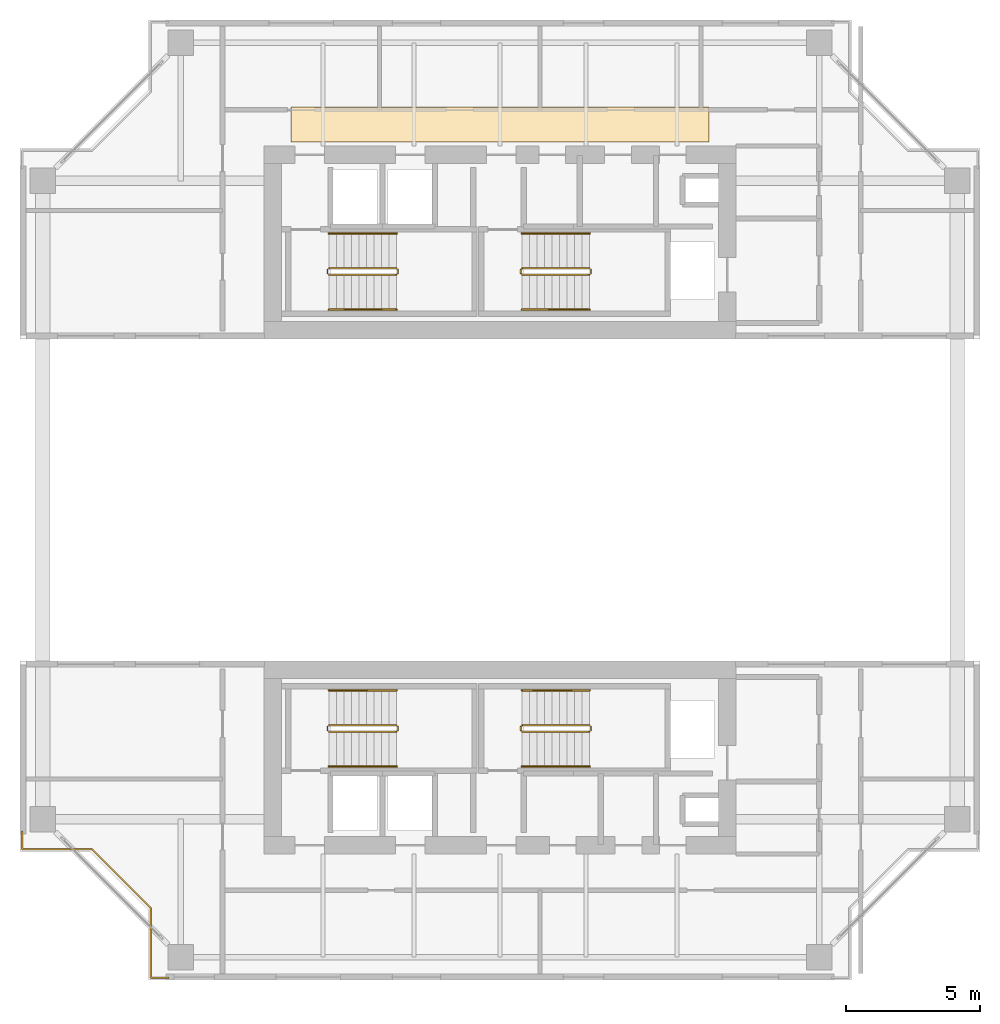
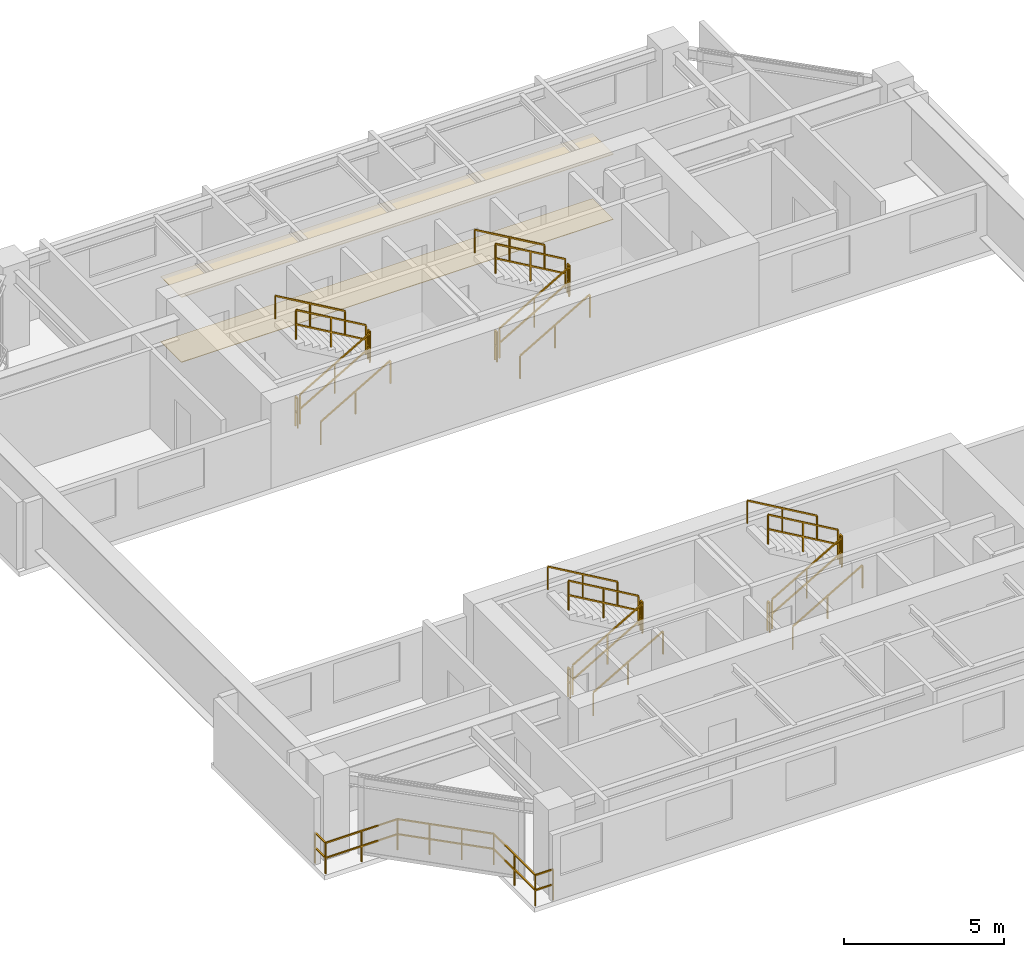
# One storey, part 11 of 12: 25 railings, 2 coverings.
"""IFC4 building model written with IfcOpenShell, lengths in metres."""

from ifc_helpers import new_model, si_unit, direction, frame, origin, origin_2d, place, context, subcontext, project, spatial, polyline, rectangle, outline, extrude, material, layer, layer_set, type_object, element, save


model = new_model("IFC4")

# Units and contexts
model_context = context("Model", 3, precision=1e-05, world=origin(), true_north=direction((0.0, 1.0)))
body_context = subcontext(model_context, "Body", "Model", "MODEL_VIEW")
ifc_project = project(units=[si_unit("LENGTHUNIT", "METRE"), si_unit("AREAUNIT", "SQUARE_METRE"), si_unit("VOLUMEUNIT", "CUBIC_METRE"), si_unit("PLANEANGLEUNIT", "RADIAN"), si_unit("MASSUNIT", "GRAM", prefix="KILO"), si_unit("THERMODYNAMICTEMPERATUREUNIT", "KELVIN"), si_unit("POWERUNIT", "WATT")], contexts=[model_context])

# Site, building, storey
site_placement = place(None, origin())
site = spatial("IfcSite", under=ifc_project, at=site_placement, CompositionType="ELEMENT")
building_placement = place(site_placement, origin())
building = spatial("IfcBuilding", under=site, at=building_placement, Name="Qiaomeng Ring Towers", CompositionType="ELEMENT")
storey_placement = place(building_placement, frame((0.0, 0.0, 169.75)))
storey = spatial("IfcBuildingStorey", under=building, at=storey_placement, Name="L49", CompositionType="ELEMENT", Elevation=169.75)

# Coverings
ifc_material_1 = material(Name="Moisture-resistant gypsum ceiling board", Category="gypsum")
ifc_layer_1 = layer(ifc_material_1, 0.030029296875, Name="Moisture-resistant gypsum ceiling board")
ifc_layer_set_1 = layer_set([ifc_layer_1], Name="Moisture-resistant gypsum ceiling board")
covering_type_1 = type_object("IfcCoveringType", Name="ARC-COV-CEIL2", PredefinedType="CEILING", material=ifc_layer_set_1)
covering_1_placement = place(storey_placement, frame((0.0, 0.0, 2.47998046875)))
element("IfcCovering", 1, at=covering_1_placement, inside=storey, type_object=covering_type_1, Name="L49 Corridor Acoustic Ceiling", PredefinedType="CEILING", context=body_context, shape_type="SweptSolid", body=[
    extrude(outline(polyline([(11.199951171875, 36.35009765625), (11.199951171875, 37.64990234375), (26.800048828125, 37.64990234375), (26.800048828125, 36.35009765625), (11.199951171875, 36.35009765625)])), origin(), (0.0, 0.0, 1.0), 0.02490234375),
])
ifc_material_2 = material(Name="Vitrified porcelain floor tile", Category="ceramic")
ifc_layer_2 = layer(ifc_material_2, 0.02001953125, Name="Vitrified porcelain floor tile")
ifc_layer_set_2 = layer_set([ifc_layer_2], Name="Vitrified porcelain floor tile")
covering_type_2 = type_object("IfcCoveringType", Name="ARC-COV-FLR1", PredefinedType="FLOORING", material=ifc_layer_set_2)
covering_2_placement = place(storey_placement, origin())
element("IfcCovering", 2, at=covering_2_placement, inside=storey, type_object=covering_type_2, Name="L49 Corridor Stone Flooring", PredefinedType="FLOORING", context=body_context, shape_type="SweptSolid", body=[
    extrude(outline(polyline([(11.199951171875, 36.35009765625), (11.199951171875, 37.64990234375), (26.800048828125, 37.64990234375), (26.800048828125, 36.35009765625), (11.199951171875, 36.35009765625)])), origin(), (0.0, 0.0, 1.0), 0.02001953125),
])

# Railings
ifc_material_3 = material(Name="Low-E pale-green laminated safety glass", Category="glass")
railing_type_1 = type_object("IfcRailingType", Name="ARC-RL-BAL1", PredefinedType="BALUSTRADE", material=ifc_material_3)
railing_1_placement = place(storey_placement, frame((1.179931640625, 10.6298828125, 0.0)))
element("IfcRailing", 3, at=railing_1_placement, inside=storey, type_object=railing_type_1, Name="L49 Balustrade ARC-BAL-NOTCH1-L49-SW", PredefinedType="BALUSTRADE", context=body_context, shape_type="SweptSolid", body=[
    extrude(rectangle(XDim=0.048095703125, YDim=0.048095703125, at=origin_2d()), frame((0.0, 0.0, 1.17578125), z_axis=(0.0, -1.0, 0.0), x_axis=(1.0, 0.0, 0.0)), (0.0, 0.0, 1.0), 0.64990234375),
    extrude(rectangle(XDim=0.048095703125, YDim=0.048095703125, at=origin_2d()), frame((0.0, 0.0, 0.60009765625), z_axis=(0.0, -1.0, 0.0), x_axis=(1.0, 0.0, 0.0)), (0.0, 0.0, 1.0), 0.64990234375),
    extrude(rectangle(XDim=0.048095703125, YDim=0.048095703125, at=origin_2d()), frame((0.0, -0.64990234375, 1.17578125), z_axis=(1.0, 0.0, 0.0), x_axis=(0.0, 1.0, 0.0)), (0.0, 0.0, 1.0), 2.60009765625),
    extrude(rectangle(XDim=0.048095703125, YDim=0.048095703125, at=origin_2d()), frame((0.0, -0.64990234375, 0.60009765625), z_axis=(1.0, 0.0, 0.0), x_axis=(0.0, 1.0, 0.0)), (0.0, 0.0, 1.0), 2.60009765625),
    extrude(rectangle(XDim=0.048095703125, YDim=0.048095703125, at=origin_2d()), frame((2.60009765625, -0.64990234375, 1.17578125), z_axis=(0.707106781187, -0.707106781187, 0.0), x_axis=(0.707106781187, 0.707106781187, 0.0)), (0.0, 0.0, 1.0), 3.111083984375),
    extrude(rectangle(XDim=0.048095703125, YDim=0.048095703125, at=origin_2d()), frame((2.60009765625, -0.64990234375, 0.60009765625), z_axis=(0.707106781187, -0.707106781187, 0.0), x_axis=(0.707106781187, 0.707106781187, 0.0)), (0.0, 0.0, 1.0), 3.111083984375),
    extrude(rectangle(XDim=0.048095703125, YDim=0.048095703125, at=origin_2d()), frame((4.800048828125, -2.849853515625, 1.17578125), z_axis=(0.0, -1.0, 0.0), x_axis=(1.0, 0.0, 0.0)), (0.0, 0.0, 1.0), 2.60009765625),
    extrude(rectangle(XDim=0.048095703125, YDim=0.048095703125, at=origin_2d()), frame((4.800048828125, -2.849853515625, 0.60009765625), z_axis=(0.0, -1.0, 0.0), x_axis=(1.0, 0.0, 0.0)), (0.0, 0.0, 1.0), 2.60009765625),
    extrude(rectangle(XDim=0.048095703125, YDim=0.048095703125, at=origin_2d()), frame((4.800048828125, -5.449951171875, 1.17578125), z_axis=(1.0, 0.0, 0.0), x_axis=(0.0, 1.0, 0.0)), (0.0, 0.0, 1.0), 0.64990234375),
    extrude(rectangle(XDim=0.048095703125, YDim=0.048095703125, at=origin_2d()), frame((4.800048828125, -5.449951171875, 0.60009765625), z_axis=(1.0, 0.0, 0.0), x_axis=(0.0, 1.0, 0.0)), (0.0, 0.0, 1.0), 0.64990234375),
    extrude(rectangle(XDim=0.0419921875, YDim=0.0419921875, at=origin_2d()), origin(), (0.0, 0.0, 1.0), 1.15185546875),
    extrude(rectangle(XDim=0.0419921875, YDim=0.0419921875, at=origin_2d()), frame((0.0, -0.64990234375, 0.0)), (0.0, 0.0, 1.0), 1.15185546875),
    extrude(rectangle(XDim=0.0419921875, YDim=0.0419921875, at=origin_2d()), frame((1.300048828125, -0.64990234375, 0.0)), (0.0, 0.0, 1.0), 1.15185546875),
    extrude(rectangle(XDim=0.0419921875, YDim=0.0419921875, at=origin_2d()), frame((2.60009765625, -0.64990234375, 0.0)), (0.0, 0.0, 1.0), 1.15185546875),
    extrude(rectangle(XDim=0.0419921875, YDim=0.0419921875, at=origin_2d()), frame((3.33349609375, -1.38330078125, 0.0)), (0.0, 0.0, 1.0), 1.15185546875),
    extrude(rectangle(XDim=0.0419921875, YDim=0.0419921875, at=origin_2d()), frame((4.066650390625, -2.116455078125, 0.0)), (0.0, 0.0, 1.0), 1.15185546875),
    extrude(rectangle(XDim=0.0419921875, YDim=0.0419921875, at=origin_2d()), frame((4.800048828125, -2.849853515625, 0.0)), (0.0, 0.0, 1.0), 1.15185546875),
    extrude(rectangle(XDim=0.0419921875, YDim=0.0419921875, at=origin_2d()), frame((4.800048828125, -4.14990234375, 0.0)), (0.0, 0.0, 1.0), 1.15185546875),
    extrude(rectangle(XDim=0.0419921875, YDim=0.0419921875, at=origin_2d()), frame((4.800048828125, -5.449951171875, 0.0)), (0.0, 0.0, 1.0), 1.15185546875),
    extrude(rectangle(XDim=0.0419921875, YDim=0.0419921875, at=origin_2d()), frame((5.449951171875, -5.449951171875, 0.0)), (0.0, 0.0, 1.0), 1.15185546875),
])
ifc_material_4 = material(Name="Galvanised steel", Category="steel")
railing_type_2 = type_object("IfcRailingType", Name="ARC-RL-GUARD", PredefinedType="GUARDRAIL", material=ifc_material_4)
railing_2_placement = place(storey_placement, frame((12.6201171875, 31.39990234375, 0.16259765625)))
element("IfcRailing", 4, at=railing_2_placement, inside=storey, type_object=railing_type_2, Name="L49 ST1 stair guard 1", PredefinedType="GUARDRAIL", context=body_context, shape_type="SweptSolid", body=[
    extrude(rectangle(XDim=0.048095703125, YDim=0.048095703125, at=origin_2d()), frame((0.0, 0.0, 1.1259765625), z_axis=(0.864892226395, 0.0, 0.501957604506), x_axis=(0.0, 1.0, 0.0)), (0.0, 0.0, 1.0), 2.913330078125),
    extrude(rectangle(XDim=0.048095703125, YDim=0.048095703125, at=origin_2d()), frame((0.0, 0.0, 0.574951171875), z_axis=(0.864892226395, 0.0, 0.501957604506), x_axis=(0.0, 1.0, 0.0)), (0.0, 0.0, 1.0), 2.913330078125),
    extrude(rectangle(XDim=0.0419921875, YDim=0.0419921875, at=origin_2d()), origin(), (0.0, 0.0, 1.0), 1.101806640625),
    extrude(rectangle(XDim=0.0419921875, YDim=0.0419921875, at=origin_2d()), frame((1.259765625, 0.0, 0.731201171875)), (0.0, 0.0, 1.0), 1.101806640625),
    extrude(rectangle(XDim=0.0419921875, YDim=0.0419921875, at=origin_2d()), frame((2.519775390625, 0.0, 1.46240234375)), (0.0, 0.0, 1.0), 1.101806640625),
])
railing_3_placement = place(storey_placement, frame((15.18994140625, 31.449951171875, 1.625)))
element("IfcRailing", 5, at=railing_3_placement, inside=storey, type_object=railing_type_2, Name="L49 ST1 stair guard 2", PredefinedType="GUARDRAIL", context=body_context, shape_type="SweptSolid", body=[
    extrude(rectangle(XDim=0.048095703125, YDim=0.048095703125, at=origin_2d()), frame((0.0, 0.0, 1.1259765625), z_axis=(0.0, 1.0, 0.0), x_axis=(-1.0, 0.0, 0.0)), (0.0, 0.0, 1.0), 0.14013671875),
    extrude(rectangle(XDim=0.048095703125, YDim=0.048095703125, at=origin_2d()), frame((0.0, 0.0, 0.574951171875), z_axis=(0.0, 1.0, 0.0), x_axis=(-1.0, 0.0, 0.0)), (0.0, 0.0, 1.0), 0.14013671875),
    extrude(rectangle(XDim=0.0419921875, YDim=0.0419921875, at=origin_2d()), origin(), (0.0, 0.0, 1.0), 1.101806640625),
    extrude(rectangle(XDim=0.0419921875, YDim=0.0419921875, at=origin_2d()), frame((0.0, 0.14013671875, 0.0)), (0.0, 0.0, 1.0), 1.101806640625),
])
railing_4_placement = place(storey_placement, frame((15.139892578125, 31.639892578125, 1.78759765625)))
element("IfcRailing", 6, at=railing_4_placement, inside=storey, type_object=railing_type_2, Name="L49 ST1 stair guard 3", PredefinedType="GUARDRAIL", context=body_context, shape_type="SweptSolid", body=[
    extrude(rectangle(XDim=0.048095703125, YDim=0.048095703125, at=origin_2d()), frame((0.0, 0.0, 1.1259765625), z_axis=(-0.864892226395, 0.0, 0.501957604506), x_axis=(0.0, -1.0, 0.0)), (0.0, 0.0, 1.0), 2.913330078125),
    extrude(rectangle(XDim=0.048095703125, YDim=0.048095703125, at=origin_2d()), frame((0.0, 0.0, 0.574951171875), z_axis=(-0.864892226395, 0.0, 0.501957604506), x_axis=(0.0, -1.0, 0.0)), (0.0, 0.0, 1.0), 2.913330078125),
    extrude(rectangle(XDim=0.0419921875, YDim=0.0419921875, at=origin_2d()), origin(), (0.0, 0.0, 1.0), 1.101806640625),
    extrude(rectangle(XDim=0.0419921875, YDim=0.0419921875, at=origin_2d()), frame((-1.259765625, 0.0, 0.731201171875)), (0.0, 0.0, 1.0), 1.101806640625),
    extrude(rectangle(XDim=0.0419921875, YDim=0.0419921875, at=origin_2d()), frame((-2.519775390625, 0.0, 1.46240234375)), (0.0, 0.0, 1.0), 1.101806640625),
])
railing_5_placement = place(storey_placement, frame((12.570068359375, 31.449951171875, 0.0)))
element("IfcRailing", 7, at=railing_5_placement, inside=storey, type_object=railing_type_2, Name="L49 ST1 stair guard 4", PredefinedType="GUARDRAIL", context=body_context, shape_type="SweptSolid", body=[
    extrude(rectangle(XDim=0.048095703125, YDim=0.048095703125, at=origin_2d()), frame((0.0, 0.0, 1.1259765625), z_axis=(0.0, 1.0, 0.0), x_axis=(-1.0, 0.0, 0.0)), (0.0, 0.0, 1.0), 0.14013671875),
    extrude(rectangle(XDim=0.048095703125, YDim=0.048095703125, at=origin_2d()), frame((0.0, 0.0, 0.574951171875), z_axis=(0.0, 1.0, 0.0), x_axis=(-1.0, 0.0, 0.0)), (0.0, 0.0, 1.0), 0.14013671875),
    extrude(rectangle(XDim=0.0419921875, YDim=0.0419921875, at=origin_2d()), origin(), (0.0, 0.0, 1.0), 1.101806640625),
    extrude(rectangle(XDim=0.0419921875, YDim=0.0419921875, at=origin_2d()), frame((0.0, 0.14013671875, 0.0)), (0.0, 0.0, 1.0), 1.101806640625),
])
railing_6_placement = place(storey_placement, frame((19.820068359375, 31.39990234375, 0.16259765625)))
element("IfcRailing", 8, at=railing_6_placement, inside=storey, type_object=railing_type_2, Name="L49 ST2 stair guard 1", PredefinedType="GUARDRAIL", context=body_context, shape_type="SweptSolid", body=[
    extrude(rectangle(XDim=0.048095703125, YDim=0.048095703125, at=origin_2d()), frame((0.0, 0.0, 1.1259765625), z_axis=(0.864913338283, 0.0, 0.50192122615), x_axis=(0.0, 1.0, 0.0)), (0.0, 0.0, 1.0), 2.91357421875),
    extrude(rectangle(XDim=0.048095703125, YDim=0.048095703125, at=origin_2d()), frame((0.0, 0.0, 0.574951171875), z_axis=(0.864913338283, 0.0, 0.50192122615), x_axis=(0.0, 1.0, 0.0)), (0.0, 0.0, 1.0), 2.91357421875),
    extrude(rectangle(XDim=0.0419921875, YDim=0.0419921875, at=origin_2d()), origin(), (0.0, 0.0, 1.0), 1.101806640625),
    extrude(rectangle(XDim=0.0419921875, YDim=0.0419921875, at=origin_2d()), frame((1.260009765625, 0.0, 0.731201171875)), (0.0, 0.0, 1.0), 1.101806640625),
    extrude(rectangle(XDim=0.0419921875, YDim=0.0419921875, at=origin_2d()), frame((2.52001953125, 0.0, 1.46240234375)), (0.0, 0.0, 1.0), 1.101806640625),
])
railing_7_placement = place(storey_placement, frame((22.389892578125, 31.449951171875, 1.625)))
element("IfcRailing", 9, at=railing_7_placement, inside=storey, type_object=railing_type_2, Name="L49 ST2 stair guard 2", PredefinedType="GUARDRAIL", context=body_context, shape_type="SweptSolid", body=[
    extrude(rectangle(XDim=0.048095703125, YDim=0.048095703125, at=origin_2d()), frame((0.0, 0.0, 1.1259765625), z_axis=(0.0, 1.0, 0.0), x_axis=(-1.0, 0.0, 0.0)), (0.0, 0.0, 1.0), 0.14013671875),
    extrude(rectangle(XDim=0.048095703125, YDim=0.048095703125, at=origin_2d()), frame((0.0, 0.0, 0.574951171875), z_axis=(0.0, 1.0, 0.0), x_axis=(-1.0, 0.0, 0.0)), (0.0, 0.0, 1.0), 0.14013671875),
    extrude(rectangle(XDim=0.0419921875, YDim=0.0419921875, at=origin_2d()), origin(), (0.0, 0.0, 1.0), 1.101806640625),
    extrude(rectangle(XDim=0.0419921875, YDim=0.0419921875, at=origin_2d()), frame((0.0, 0.14013671875, 0.0)), (0.0, 0.0, 1.0), 1.101806640625),
])
railing_8_placement = place(storey_placement, frame((22.340087890625, 31.639892578125, 1.78759765625)))
element("IfcRailing", 10, at=railing_8_placement, inside=storey, type_object=railing_type_2, Name="L49 ST2 stair guard 3", PredefinedType="GUARDRAIL", context=body_context, shape_type="SweptSolid", body=[
    extrude(rectangle(XDim=0.048095703125, YDim=0.048095703125, at=origin_2d()), frame((0.0, 0.0, 1.1259765625), z_axis=(-0.864913338283, 0.0, 0.50192122615), x_axis=(0.0, -1.0, 0.0)), (0.0, 0.0, 1.0), 2.91357421875),
    extrude(rectangle(XDim=0.048095703125, YDim=0.048095703125, at=origin_2d()), frame((0.0, 0.0, 0.574951171875), z_axis=(-0.864913338283, 0.0, 0.50192122615), x_axis=(0.0, -1.0, 0.0)), (0.0, 0.0, 1.0), 2.91357421875),
    extrude(rectangle(XDim=0.0419921875, YDim=0.0419921875, at=origin_2d()), origin(), (0.0, 0.0, 1.0), 1.101806640625),
    extrude(rectangle(XDim=0.0419921875, YDim=0.0419921875, at=origin_2d()), frame((-1.260009765625, 0.0, 0.731201171875)), (0.0, 0.0, 1.0), 1.101806640625),
    extrude(rectangle(XDim=0.0419921875, YDim=0.0419921875, at=origin_2d()), frame((-2.52001953125, 0.0, 1.46240234375)), (0.0, 0.0, 1.0), 1.101806640625),
])
railing_9_placement = place(storey_placement, frame((19.77001953125, 31.449951171875, 0.0)))
element("IfcRailing", 11, at=railing_9_placement, inside=storey, type_object=railing_type_2, Name="L49 ST2 stair guard 4", PredefinedType="GUARDRAIL", context=body_context, shape_type="SweptSolid", body=[
    extrude(rectangle(XDim=0.048095703125, YDim=0.048095703125, at=origin_2d()), frame((0.0, 0.0, 1.1259765625), z_axis=(0.0, 1.0, 0.0), x_axis=(-1.0, 0.0, 0.0)), (0.0, 0.0, 1.0), 0.14013671875),
    extrude(rectangle(XDim=0.048095703125, YDim=0.048095703125, at=origin_2d()), frame((0.0, 0.0, 0.574951171875), z_axis=(0.0, 1.0, 0.0), x_axis=(-1.0, 0.0, 0.0)), (0.0, 0.0, 1.0), 0.14013671875),
    extrude(rectangle(XDim=0.0419921875, YDim=0.0419921875, at=origin_2d()), origin(), (0.0, 0.0, 1.0), 1.101806640625),
    extrude(rectangle(XDim=0.0419921875, YDim=0.0419921875, at=origin_2d()), frame((0.0, 0.14013671875, 0.0)), (0.0, 0.0, 1.0), 1.101806640625),
])
railing_10_placement = place(storey_placement, frame((12.6201171875, 14.360107421875, 0.16259765625)))
element("IfcRailing", 12, at=railing_10_placement, inside=storey, type_object=railing_type_2, Name="L49 ST3 stair guard 1", PredefinedType="GUARDRAIL", context=body_context, shape_type="SweptSolid", body=[
    extrude(rectangle(XDim=0.048095703125, YDim=0.048095703125, at=origin_2d()), frame((0.0, 0.0, 1.1259765625), z_axis=(0.864892226395, 0.0, 0.501957604506), x_axis=(0.0, 1.0, 0.0)), (0.0, 0.0, 1.0), 2.913330078125),
    extrude(rectangle(XDim=0.048095703125, YDim=0.048095703125, at=origin_2d()), frame((0.0, 0.0, 0.574951171875), z_axis=(0.864892226395, 0.0, 0.501957604506), x_axis=(0.0, 1.0, 0.0)), (0.0, 0.0, 1.0), 2.913330078125),
    extrude(rectangle(XDim=0.0419921875, YDim=0.0419921875, at=origin_2d()), origin(), (0.0, 0.0, 1.0), 1.101806640625),
    extrude(rectangle(XDim=0.0419921875, YDim=0.0419921875, at=origin_2d()), frame((1.259765625, 0.0, 0.731201171875)), (0.0, 0.0, 1.0), 1.101806640625),
    extrude(rectangle(XDim=0.0419921875, YDim=0.0419921875, at=origin_2d()), frame((2.519775390625, 0.0, 1.46240234375)), (0.0, 0.0, 1.0), 1.101806640625),
])
railing_11_placement = place(storey_placement, frame((15.18994140625, 14.409912109375, 1.625)))
element("IfcRailing", 13, at=railing_11_placement, inside=storey, type_object=railing_type_2, Name="L49 ST3 stair guard 2", PredefinedType="GUARDRAIL", context=body_context, shape_type="SweptSolid", body=[
    extrude(rectangle(XDim=0.048095703125, YDim=0.048095703125, at=origin_2d()), frame((0.0, 0.0, 1.1259765625), z_axis=(0.0, 1.0, 0.0), x_axis=(-1.0, 0.0, 0.0)), (0.0, 0.0, 1.0), 0.14013671875),
    extrude(rectangle(XDim=0.048095703125, YDim=0.048095703125, at=origin_2d()), frame((0.0, 0.0, 0.574951171875), z_axis=(0.0, 1.0, 0.0), x_axis=(-1.0, 0.0, 0.0)), (0.0, 0.0, 1.0), 0.14013671875),
    extrude(rectangle(XDim=0.0419921875, YDim=0.0419921875, at=origin_2d()), origin(), (0.0, 0.0, 1.0), 1.101806640625),
    extrude(rectangle(XDim=0.0419921875, YDim=0.0419921875, at=origin_2d()), frame((0.0, 0.14013671875, 0.0)), (0.0, 0.0, 1.0), 1.101806640625),
])
railing_12_placement = place(storey_placement, frame((15.139892578125, 14.60009765625, 1.78759765625)))
element("IfcRailing", 14, at=railing_12_placement, inside=storey, type_object=railing_type_2, Name="L49 ST3 stair guard 3", PredefinedType="GUARDRAIL", context=body_context, shape_type="SweptSolid", body=[
    extrude(rectangle(XDim=0.048095703125, YDim=0.048095703125, at=origin_2d()), frame((0.0, 0.0, 1.1259765625), z_axis=(-0.864892226395, 0.0, 0.501957604506), x_axis=(0.0, -1.0, 0.0)), (0.0, 0.0, 1.0), 2.913330078125),
    extrude(rectangle(XDim=0.048095703125, YDim=0.048095703125, at=origin_2d()), frame((0.0, 0.0, 0.574951171875), z_axis=(-0.864892226395, 0.0, 0.501957604506), x_axis=(0.0, -1.0, 0.0)), (0.0, 0.0, 1.0), 2.913330078125),
    extrude(rectangle(XDim=0.0419921875, YDim=0.0419921875, at=origin_2d()), origin(), (0.0, 0.0, 1.0), 1.101806640625),
    extrude(rectangle(XDim=0.0419921875, YDim=0.0419921875, at=origin_2d()), frame((-1.259765625, 0.0, 0.731201171875)), (0.0, 0.0, 1.0), 1.101806640625),
    extrude(rectangle(XDim=0.0419921875, YDim=0.0419921875, at=origin_2d()), frame((-2.519775390625, 0.0, 1.46240234375)), (0.0, 0.0, 1.0), 1.101806640625),
])
railing_13_placement = place(storey_placement, frame((12.570068359375, 14.409912109375, 0.0)))
element("IfcRailing", 15, at=railing_13_placement, inside=storey, type_object=railing_type_2, Name="L49 ST3 stair guard 4", PredefinedType="GUARDRAIL", context=body_context, shape_type="SweptSolid", body=[
    extrude(rectangle(XDim=0.048095703125, YDim=0.048095703125, at=origin_2d()), frame((0.0, 0.0, 1.1259765625), z_axis=(0.0, 1.0, 0.0), x_axis=(-1.0, 0.0, 0.0)), (0.0, 0.0, 1.0), 0.14013671875),
    extrude(rectangle(XDim=0.048095703125, YDim=0.048095703125, at=origin_2d()), frame((0.0, 0.0, 0.574951171875), z_axis=(0.0, 1.0, 0.0), x_axis=(-1.0, 0.0, 0.0)), (0.0, 0.0, 1.0), 0.14013671875),
    extrude(rectangle(XDim=0.0419921875, YDim=0.0419921875, at=origin_2d()), origin(), (0.0, 0.0, 1.0), 1.101806640625),
    extrude(rectangle(XDim=0.0419921875, YDim=0.0419921875, at=origin_2d()), frame((0.0, 0.14013671875, 0.0)), (0.0, 0.0, 1.0), 1.101806640625),
])
railing_14_placement = place(storey_placement, frame((19.820068359375, 14.360107421875, 0.16259765625)))
element("IfcRailing", 16, at=railing_14_placement, inside=storey, type_object=railing_type_2, Name="L49 ST4 stair guard 1", PredefinedType="GUARDRAIL", context=body_context, shape_type="SweptSolid", body=[
    extrude(rectangle(XDim=0.048095703125, YDim=0.048095703125, at=origin_2d()), frame((0.0, 0.0, 1.1259765625), z_axis=(0.864913338283, 0.0, 0.50192122615), x_axis=(0.0, 1.0, 0.0)), (0.0, 0.0, 1.0), 2.91357421875),
    extrude(rectangle(XDim=0.048095703125, YDim=0.048095703125, at=origin_2d()), frame((0.0, 0.0, 0.574951171875), z_axis=(0.864913338283, 0.0, 0.50192122615), x_axis=(0.0, 1.0, 0.0)), (0.0, 0.0, 1.0), 2.91357421875),
    extrude(rectangle(XDim=0.0419921875, YDim=0.0419921875, at=origin_2d()), origin(), (0.0, 0.0, 1.0), 1.101806640625),
    extrude(rectangle(XDim=0.0419921875, YDim=0.0419921875, at=origin_2d()), frame((1.260009765625, 0.0, 0.731201171875)), (0.0, 0.0, 1.0), 1.101806640625),
    extrude(rectangle(XDim=0.0419921875, YDim=0.0419921875, at=origin_2d()), frame((2.52001953125, 0.0, 1.46240234375)), (0.0, 0.0, 1.0), 1.101806640625),
])
railing_15_placement = place(storey_placement, frame((22.389892578125, 14.409912109375, 1.625)))
element("IfcRailing", 17, at=railing_15_placement, inside=storey, type_object=railing_type_2, Name="L49 ST4 stair guard 2", PredefinedType="GUARDRAIL", context=body_context, shape_type="SweptSolid", body=[
    extrude(rectangle(XDim=0.048095703125, YDim=0.048095703125, at=origin_2d()), frame((0.0, 0.0, 1.1259765625), z_axis=(0.0, 1.0, 0.0), x_axis=(-1.0, 0.0, 0.0)), (0.0, 0.0, 1.0), 0.14013671875),
    extrude(rectangle(XDim=0.048095703125, YDim=0.048095703125, at=origin_2d()), frame((0.0, 0.0, 0.574951171875), z_axis=(0.0, 1.0, 0.0), x_axis=(-1.0, 0.0, 0.0)), (0.0, 0.0, 1.0), 0.14013671875),
    extrude(rectangle(XDim=0.0419921875, YDim=0.0419921875, at=origin_2d()), origin(), (0.0, 0.0, 1.0), 1.101806640625),
    extrude(rectangle(XDim=0.0419921875, YDim=0.0419921875, at=origin_2d()), frame((0.0, 0.14013671875, 0.0)), (0.0, 0.0, 1.0), 1.101806640625),
])
railing_16_placement = place(storey_placement, frame((22.340087890625, 14.60009765625, 1.78759765625)))
element("IfcRailing", 18, at=railing_16_placement, inside=storey, type_object=railing_type_2, Name="L49 ST4 stair guard 3", PredefinedType="GUARDRAIL", context=body_context, shape_type="SweptSolid", body=[
    extrude(rectangle(XDim=0.048095703125, YDim=0.048095703125, at=origin_2d()), frame((0.0, 0.0, 1.1259765625), z_axis=(-0.864913338283, 0.0, 0.50192122615), x_axis=(0.0, -1.0, 0.0)), (0.0, 0.0, 1.0), 2.91357421875),
    extrude(rectangle(XDim=0.048095703125, YDim=0.048095703125, at=origin_2d()), frame((0.0, 0.0, 0.574951171875), z_axis=(-0.864913338283, 0.0, 0.50192122615), x_axis=(0.0, -1.0, 0.0)), (0.0, 0.0, 1.0), 2.91357421875),
    extrude(rectangle(XDim=0.0419921875, YDim=0.0419921875, at=origin_2d()), origin(), (0.0, 0.0, 1.0), 1.101806640625),
    extrude(rectangle(XDim=0.0419921875, YDim=0.0419921875, at=origin_2d()), frame((-1.260009765625, 0.0, 0.731201171875)), (0.0, 0.0, 1.0), 1.101806640625),
    extrude(rectangle(XDim=0.0419921875, YDim=0.0419921875, at=origin_2d()), frame((-2.52001953125, 0.0, 1.46240234375)), (0.0, 0.0, 1.0), 1.101806640625),
])
railing_17_placement = place(storey_placement, frame((19.77001953125, 14.409912109375, 0.0)))
element("IfcRailing", 19, at=railing_17_placement, inside=storey, type_object=railing_type_2, Name="L49 ST4 stair guard 4", PredefinedType="GUARDRAIL", context=body_context, shape_type="SweptSolid", body=[
    extrude(rectangle(XDim=0.048095703125, YDim=0.048095703125, at=origin_2d()), frame((0.0, 0.0, 1.1259765625), z_axis=(0.0, 1.0, 0.0), x_axis=(-1.0, 0.0, 0.0)), (0.0, 0.0, 1.0), 0.14013671875),
    extrude(rectangle(XDim=0.048095703125, YDim=0.048095703125, at=origin_2d()), frame((0.0, 0.0, 0.574951171875), z_axis=(0.0, 1.0, 0.0), x_axis=(-1.0, 0.0, 0.0)), (0.0, 0.0, 1.0), 0.14013671875),
    extrude(rectangle(XDim=0.0419921875, YDim=0.0419921875, at=origin_2d()), origin(), (0.0, 0.0, 1.0), 1.101806640625),
    extrude(rectangle(XDim=0.0419921875, YDim=0.0419921875, at=origin_2d()), frame((0.0, 0.14013671875, 0.0)), (0.0, 0.0, 1.0), 1.101806640625),
])
ifc_material_5 = material(Name="Stainless steel 316", Category="steel")
railing_type_3 = type_object("IfcRailingType", Name="ARC-RL-HAND", PredefinedType="HANDRAIL", material=ifc_material_5)
railing_18_placement = place(storey_placement, frame((12.6201171875, 30.10009765625, 0.16259765625)))
element("IfcRailing", 20, at=railing_18_placement, inside=storey, type_object=railing_type_3, Name="L49 ST1 stair handrail 1", PredefinedType="HANDRAIL", context=body_context, shape_type="SweptSolid", body=[
    extrude(rectangle(XDim=0.048095703125, YDim=0.048095703125, at=origin_2d()), frame((0.0, 0.0, 0.8759765625), z_axis=(0.864892226395, 0.0, 0.501957604506), x_axis=(0.0, 1.0, 0.0)), (0.0, 0.0, 1.0), 2.913330078125),
    extrude(rectangle(XDim=0.0419921875, YDim=0.0419921875, at=origin_2d()), origin(), (0.0, 0.0, 1.0), 0.851806640625),
    extrude(rectangle(XDim=0.0419921875, YDim=0.0419921875, at=origin_2d()), frame((1.259765625, 0.0, 0.731201171875)), (0.0, 0.0, 1.0), 0.851806640625),
    extrude(rectangle(XDim=0.0419921875, YDim=0.0419921875, at=origin_2d()), frame((2.519775390625, 0.0, 1.46240234375)), (0.0, 0.0, 1.0), 0.851806640625),
])
railing_19_placement = place(storey_placement, frame((15.139892578125, 32.93994140625, 1.78759765625)))
element("IfcRailing", 21, at=railing_19_placement, inside=storey, type_object=railing_type_3, Name="L49 ST1 stair handrail 2", PredefinedType="HANDRAIL", context=body_context, shape_type="SweptSolid", body=[
    extrude(rectangle(XDim=0.048095703125, YDim=0.048095703125, at=origin_2d()), frame((0.0, 0.0, 0.8759765625), z_axis=(-0.864892226395, 0.0, 0.501957604506), x_axis=(0.0, -1.0, 0.0)), (0.0, 0.0, 1.0), 2.913330078125),
    extrude(rectangle(XDim=0.0419921875, YDim=0.0419921875, at=origin_2d()), origin(), (0.0, 0.0, 1.0), 0.851806640625),
    extrude(rectangle(XDim=0.0419921875, YDim=0.0419921875, at=origin_2d()), frame((-1.259765625, 0.0, 0.731201171875)), (0.0, 0.0, 1.0), 0.851806640625),
    extrude(rectangle(XDim=0.0419921875, YDim=0.0419921875, at=origin_2d()), frame((-2.519775390625, 0.0, 1.46240234375)), (0.0, 0.0, 1.0), 0.851806640625),
])
railing_20_placement = place(storey_placement, frame((19.820068359375, 30.10009765625, 0.16259765625)))
element("IfcRailing", 22, at=railing_20_placement, inside=storey, type_object=railing_type_3, Name="L49 ST2 stair handrail 1", PredefinedType="HANDRAIL", context=body_context, shape_type="SweptSolid", body=[
    extrude(rectangle(XDim=0.048095703125, YDim=0.048095703125, at=origin_2d()), frame((0.0, 0.0, 0.8759765625), z_axis=(0.864913338283, 0.0, 0.50192122615), x_axis=(0.0, 1.0, 0.0)), (0.0, 0.0, 1.0), 2.91357421875),
    extrude(rectangle(XDim=0.0419921875, YDim=0.0419921875, at=origin_2d()), origin(), (0.0, 0.0, 1.0), 0.851806640625),
    extrude(rectangle(XDim=0.0419921875, YDim=0.0419921875, at=origin_2d()), frame((1.260009765625, 0.0, 0.731201171875)), (0.0, 0.0, 1.0), 0.851806640625),
    extrude(rectangle(XDim=0.0419921875, YDim=0.0419921875, at=origin_2d()), frame((2.52001953125, 0.0, 1.46240234375)), (0.0, 0.0, 1.0), 0.851806640625),
])
railing_21_placement = place(storey_placement, frame((22.340087890625, 32.93994140625, 1.78759765625)))
element("IfcRailing", 23, at=railing_21_placement, inside=storey, type_object=railing_type_3, Name="L49 ST2 stair handrail 2", PredefinedType="HANDRAIL", context=body_context, shape_type="SweptSolid", body=[
    extrude(rectangle(XDim=0.048095703125, YDim=0.048095703125, at=origin_2d()), frame((0.0, 0.0, 0.8759765625), z_axis=(-0.864913338283, 0.0, 0.50192122615), x_axis=(0.0, -1.0, 0.0)), (0.0, 0.0, 1.0), 2.91357421875),
    extrude(rectangle(XDim=0.0419921875, YDim=0.0419921875, at=origin_2d()), origin(), (0.0, 0.0, 1.0), 0.851806640625),
    extrude(rectangle(XDim=0.0419921875, YDim=0.0419921875, at=origin_2d()), frame((-1.260009765625, 0.0, 0.731201171875)), (0.0, 0.0, 1.0), 0.851806640625),
    extrude(rectangle(XDim=0.0419921875, YDim=0.0419921875, at=origin_2d()), frame((-2.52001953125, 0.0, 1.46240234375)), (0.0, 0.0, 1.0), 0.851806640625),
])
railing_22_placement = place(storey_placement, frame((12.6201171875, 13.06005859375, 0.16259765625)))
element("IfcRailing", 24, at=railing_22_placement, inside=storey, type_object=railing_type_3, Name="L49 ST3 stair handrail 1", PredefinedType="HANDRAIL", context=body_context, shape_type="SweptSolid", body=[
    extrude(rectangle(XDim=0.048095703125, YDim=0.048095703125, at=origin_2d()), frame((0.0, 0.0, 0.8759765625), z_axis=(0.864892226395, 0.0, 0.501957604506), x_axis=(0.0, 1.0, 0.0)), (0.0, 0.0, 1.0), 2.913330078125),
    extrude(rectangle(XDim=0.0419921875, YDim=0.0419921875, at=origin_2d()), origin(), (0.0, 0.0, 1.0), 0.851806640625),
    extrude(rectangle(XDim=0.0419921875, YDim=0.0419921875, at=origin_2d()), frame((1.259765625, 0.0, 0.731201171875)), (0.0, 0.0, 1.0), 0.851806640625),
    extrude(rectangle(XDim=0.0419921875, YDim=0.0419921875, at=origin_2d()), frame((2.519775390625, 0.0, 1.46240234375)), (0.0, 0.0, 1.0), 0.851806640625),
])
railing_23_placement = place(storey_placement, frame((15.139892578125, 15.89990234375, 1.78759765625)))
element("IfcRailing", 25, at=railing_23_placement, inside=storey, type_object=railing_type_3, Name="L49 ST3 stair handrail 2", PredefinedType="HANDRAIL", context=body_context, shape_type="SweptSolid", body=[
    extrude(rectangle(XDim=0.048095703125, YDim=0.048095703125, at=origin_2d()), frame((0.0, 0.0, 0.8759765625), z_axis=(-0.864892226395, 0.0, 0.501957604506), x_axis=(0.0, -1.0, 0.0)), (0.0, 0.0, 1.0), 2.913330078125),
    extrude(rectangle(XDim=0.0419921875, YDim=0.0419921875, at=origin_2d()), origin(), (0.0, 0.0, 1.0), 0.851806640625),
    extrude(rectangle(XDim=0.0419921875, YDim=0.0419921875, at=origin_2d()), frame((-1.259765625, 0.0, 0.731201171875)), (0.0, 0.0, 1.0), 0.851806640625),
    extrude(rectangle(XDim=0.0419921875, YDim=0.0419921875, at=origin_2d()), frame((-2.519775390625, 0.0, 1.46240234375)), (0.0, 0.0, 1.0), 0.851806640625),
])
railing_24_placement = place(storey_placement, frame((19.820068359375, 13.06005859375, 0.16259765625)))
element("IfcRailing", 26, at=railing_24_placement, inside=storey, type_object=railing_type_3, Name="L49 ST4 stair handrail 1", PredefinedType="HANDRAIL", context=body_context, shape_type="SweptSolid", body=[
    extrude(rectangle(XDim=0.048095703125, YDim=0.048095703125, at=origin_2d()), frame((0.0, 0.0, 0.8759765625), z_axis=(0.864913338283, 0.0, 0.50192122615), x_axis=(0.0, 1.0, 0.0)), (0.0, 0.0, 1.0), 2.91357421875),
    extrude(rectangle(XDim=0.0419921875, YDim=0.0419921875, at=origin_2d()), origin(), (0.0, 0.0, 1.0), 0.851806640625),
    extrude(rectangle(XDim=0.0419921875, YDim=0.0419921875, at=origin_2d()), frame((1.260009765625, 0.0, 0.731201171875)), (0.0, 0.0, 1.0), 0.851806640625),
    extrude(rectangle(XDim=0.0419921875, YDim=0.0419921875, at=origin_2d()), frame((2.52001953125, 0.0, 1.46240234375)), (0.0, 0.0, 1.0), 0.851806640625),
])
railing_25_placement = place(storey_placement, frame((22.340087890625, 15.89990234375, 1.78759765625)))
element("IfcRailing", 27, at=railing_25_placement, inside=storey, type_object=railing_type_3, Name="L49 ST4 stair handrail 2", PredefinedType="HANDRAIL", context=body_context, shape_type="SweptSolid", body=[
    extrude(rectangle(XDim=0.048095703125, YDim=0.048095703125, at=origin_2d()), frame((0.0, 0.0, 0.8759765625), z_axis=(-0.864913338283, 0.0, 0.50192122615), x_axis=(0.0, -1.0, 0.0)), (0.0, 0.0, 1.0), 2.91357421875),
    extrude(rectangle(XDim=0.0419921875, YDim=0.0419921875, at=origin_2d()), origin(), (0.0, 0.0, 1.0), 0.851806640625),
    extrude(rectangle(XDim=0.0419921875, YDim=0.0419921875, at=origin_2d()), frame((-1.260009765625, 0.0, 0.731201171875)), (0.0, 0.0, 1.0), 0.851806640625),
    extrude(rectangle(XDim=0.0419921875, YDim=0.0419921875, at=origin_2d()), frame((-2.52001953125, 0.0, 1.46240234375)), (0.0, 0.0, 1.0), 0.851806640625),
])

save(model, "model.ifc")
